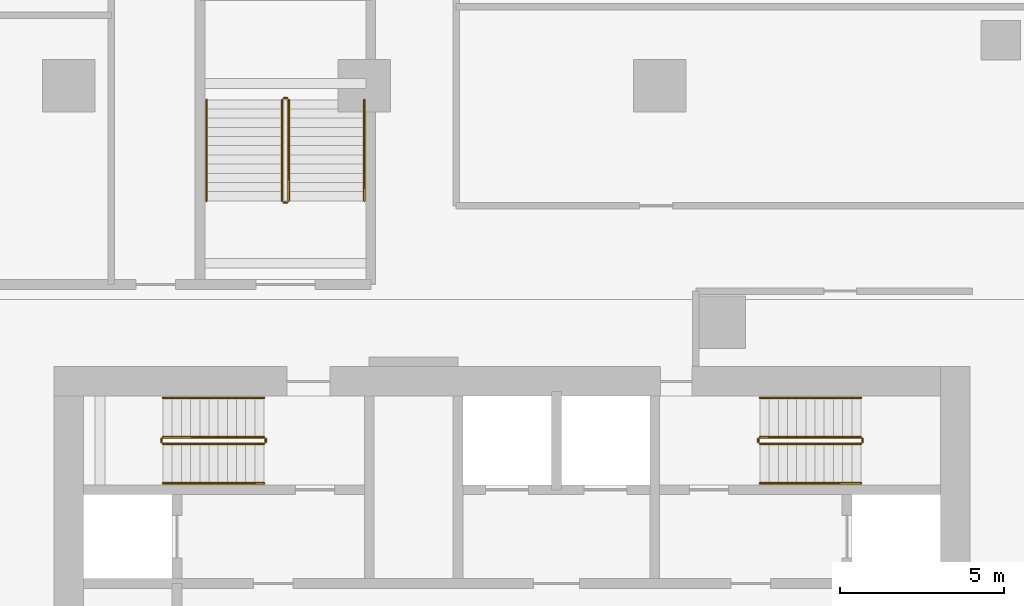
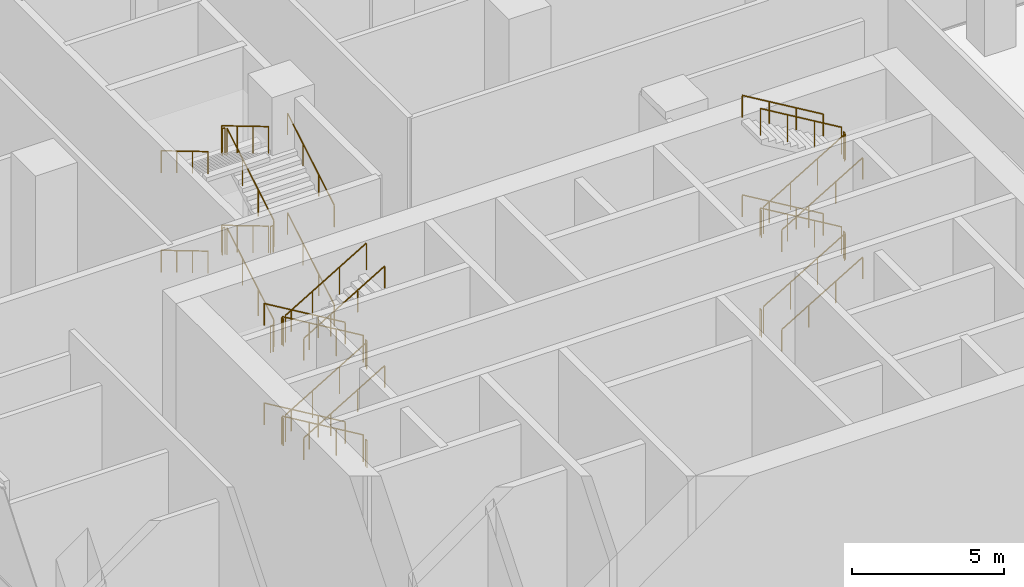
# One storey, part 46 of 54: 36 railings.
"""IFC4 building model written with IfcOpenShell, lengths in metres."""

from ifc_helpers import new_model, si_unit, direction, frame, origin, origin_2d, place, context, subcontext, project, spatial, circle, extrude, material, type_object, element, save


model = new_model("IFC4")

# Units and contexts
model_context = context("Model", 3, precision=1e-05, world=origin(), true_north=direction((0.0, 1.0)))
body_context = subcontext(model_context, "Body", "Model", "MODEL_VIEW")
ifc_project = project(units=[si_unit("LENGTHUNIT", "METRE"), si_unit("AREAUNIT", "SQUARE_METRE"), si_unit("VOLUMEUNIT", "CUBIC_METRE"), si_unit("PLANEANGLEUNIT", "RADIAN"), si_unit("MASSUNIT", "GRAM", prefix="KILO")], contexts=[model_context])

# Site, building, storey
site_placement = place(None, origin())
site = spatial("IfcSite", under=ifc_project, at=site_placement, CompositionType="ELEMENT")
building_placement = place(site_placement, origin())
building = spatial("IfcBuilding", under=site, at=building_placement, Name="Ogive Portal Towers", CompositionType="ELEMENT")
storey_placement = place(building_placement, origin())
storey = spatial("IfcBuildingStorey", under=building, at=storey_placement, Name="L00", CompositionType="ELEMENT", Elevation=0.0)

# Railings
ifc_material_1 = material(Name="Stainless steel balustrade", Category="steel")
railing_type_1 = type_object("IfcRailingType", Name="INT-GUARD", PredefinedType="GUARDRAIL", material=ifc_material_1)
railing_1_placement = place(storey_placement, frame((37.449951171875, 37.800048828125, 0.166748046875)))
element("IfcRailing", 1, at=railing_1_placement, inside=storey, type_object=railing_type_1, Name="L00 ST-A1 stair guard 1", PredefinedType="GUARDRAIL", context=body_context, shape_type="SweptSolid", body=[
    extrude(circle(Radius=0.02392578125, at=origin_2d()), frame((0.0, 0.0, 1.076171875), z_axis=(-0.859290745958, 0.0, 0.51148745235), x_axis=(0.0, -1.0, 0.0)), (0.0, 0.0, 1.0), 3.584228515625),
    extrude(circle(Radius=0.02099609375, at=origin_2d()), origin(), (0.0, 0.0, 1.0), 1.052001953125),
    extrude(circle(Radius=0.02099609375, at=origin_2d()), frame((-1.026611328125, 0.0, 0.611083984375)), (0.0, 0.0, 1.0), 1.052001953125),
    extrude(circle(Radius=0.02099609375, at=origin_2d()), frame((-2.05322265625, 0.0, 1.22216796875)), (0.0, 0.0, 1.0), 1.052001953125),
    extrude(circle(Radius=0.02099609375, at=origin_2d()), frame((-3.079833984375, 0.0, 1.833251953125)), (0.0, 0.0, 1.0), 1.052001953125),
])
railing_2_placement = place(storey_placement, frame((34.320068359375, 37.75, 2.0)))
element("IfcRailing", 2, at=railing_2_placement, inside=storey, type_object=railing_type_1, Name="L00 ST-A1 stair guard 2", PredefinedType="GUARDRAIL", context=body_context, shape_type="SweptSolid", body=[
    extrude(circle(Radius=0.02392578125, at=origin_2d()), frame((0.0, 0.0, 1.076171875), z_axis=(0.0, -1.0, 0.0), x_axis=(1.0, 0.0, 0.0)), (0.0, 0.0, 1.0), 0.10009765625),
    extrude(circle(Radius=0.02099609375, at=origin_2d()), origin(), (0.0, 0.0, 1.0), 1.052001953125),
    extrude(circle(Radius=0.02099609375, at=origin_2d()), frame((0.0, -0.10009765625, 0.0)), (0.0, 0.0, 1.0), 1.052001953125),
])
railing_3_placement = place(storey_placement, frame((34.3701171875, 37.60009765625, 2.166748046875)))
element("IfcRailing", 3, at=railing_3_placement, inside=storey, type_object=railing_type_1, Name="L00 ST-A1 stair guard 3", PredefinedType="GUARDRAIL", context=body_context, shape_type="SweptSolid", body=[
    extrude(circle(Radius=0.02392578125, at=origin_2d()), frame((0.0, 0.0, 1.076171875), z_axis=(0.859290745958, 0.0, 0.51148745235), x_axis=(0.0, 1.0, 0.0)), (0.0, 0.0, 1.0), 3.584228515625),
    extrude(circle(Radius=0.02099609375, at=origin_2d()), origin(), (0.0, 0.0, 1.0), 1.052001953125),
    extrude(circle(Radius=0.02099609375, at=origin_2d()), frame((1.026611328125, 0.0, 0.611083984375)), (0.0, 0.0, 1.0), 1.052001953125),
    extrude(circle(Radius=0.02099609375, at=origin_2d()), frame((2.05322265625, 0.0, 1.22216796875)), (0.0, 0.0, 1.0), 1.052001953125),
    extrude(circle(Radius=0.02099609375, at=origin_2d()), frame((3.079833984375, 0.0, 1.833251953125)), (0.0, 0.0, 1.0), 1.052001953125),
])
railing_4_placement = place(storey_placement, frame((37.5, 37.75, 4.0)))
element("IfcRailing", 4, at=railing_4_placement, inside=storey, type_object=railing_type_1, Name="L00 ST-A1 stair guard 4", PredefinedType="GUARDRAIL", context=body_context, shape_type="SweptSolid", body=[
    extrude(circle(Radius=0.02392578125, at=origin_2d()), frame((0.0, 0.0, 1.076171875), z_axis=(0.0, -1.0, 0.0), x_axis=(1.0, 0.0, 0.0)), (0.0, 0.0, 1.0), 0.10009765625),
    extrude(circle(Radius=0.02099609375, at=origin_2d()), origin(), (0.0, 0.0, 1.0), 1.052001953125),
    extrude(circle(Radius=0.02099609375, at=origin_2d()), frame((0.0, -0.10009765625, 0.0)), (0.0, 0.0, 1.0), 1.052001953125),
])
railing_5_placement = place(storey_placement, frame((37.449951171875, 37.800048828125, 4.166748046875)))
element("IfcRailing", 5, at=railing_5_placement, inside=storey, type_object=railing_type_1, Name="L00 ST-A1 stair guard 5", PredefinedType="GUARDRAIL", context=body_context, shape_type="SweptSolid", body=[
    extrude(circle(Radius=0.02392578125, at=origin_2d()), frame((0.0, 0.0, 1.076171875), z_axis=(-0.859290745958, 0.0, 0.51148745235), x_axis=(0.0, -1.0, 0.0)), (0.0, 0.0, 1.0), 3.584228515625),
    extrude(circle(Radius=0.02099609375, at=origin_2d()), origin(), (0.0, 0.0, 1.0), 1.052001953125),
    extrude(circle(Radius=0.02099609375, at=origin_2d()), frame((-1.026611328125, 0.0, 0.611083984375)), (0.0, 0.0, 1.0), 1.052001953125),
    extrude(circle(Radius=0.02099609375, at=origin_2d()), frame((-2.05322265625, 0.0, 1.22216796875)), (0.0, 0.0, 1.0), 1.052001953125),
    extrude(circle(Radius=0.02099609375, at=origin_2d()), frame((-3.079833984375, 0.0, 1.833251953125)), (0.0, 0.0, 1.0), 1.052001953125),
])
railing_6_placement = place(storey_placement, frame((34.320068359375, 37.75, 6.0)))
element("IfcRailing", 6, at=railing_6_placement, inside=storey, type_object=railing_type_1, Name="L00 ST-A1 stair guard 6", PredefinedType="GUARDRAIL", context=body_context, shape_type="SweptSolid", body=[
    extrude(circle(Radius=0.02392578125, at=origin_2d()), frame((0.0, 0.0, 1.076171875), z_axis=(0.0, -1.0, 0.0), x_axis=(1.0, 0.0, 0.0)), (0.0, 0.0, 1.0), 0.10009765625),
    extrude(circle(Radius=0.02099609375, at=origin_2d()), origin(), (0.0, 0.0, 1.0), 1.052001953125),
    extrude(circle(Radius=0.02099609375, at=origin_2d()), frame((0.0, -0.10009765625, 0.0)), (0.0, 0.0, 1.0), 1.052001953125),
])
railing_7_placement = place(storey_placement, frame((34.3701171875, 37.60009765625, 6.166748046875)))
element("IfcRailing", 7, at=railing_7_placement, inside=storey, type_object=railing_type_1, Name="L00 ST-A1 stair guard 7", PredefinedType="GUARDRAIL", context=body_context, shape_type="SweptSolid", body=[
    extrude(circle(Radius=0.02392578125, at=origin_2d()), frame((0.0, 0.0, 1.076171875), z_axis=(0.859290745958, 0.0, 0.51148745235), x_axis=(0.0, 1.0, 0.0)), (0.0, 0.0, 1.0), 3.584228515625),
    extrude(circle(Radius=0.02099609375, at=origin_2d()), origin(), (0.0, 0.0, 1.0), 1.052001953125),
    extrude(circle(Radius=0.02099609375, at=origin_2d()), frame((1.026611328125, 0.0, 0.611083984375)), (0.0, 0.0, 1.0), 1.052001953125),
    extrude(circle(Radius=0.02099609375, at=origin_2d()), frame((2.05322265625, 0.0, 1.22216796875)), (0.0, 0.0, 1.0), 1.052001953125),
    extrude(circle(Radius=0.02099609375, at=origin_2d()), frame((3.079833984375, 0.0, 1.833251953125)), (0.0, 0.0, 1.0), 1.052001953125),
])
railing_8_placement = place(storey_placement, frame((37.5, 37.75, 0.0)))
element("IfcRailing", 8, at=railing_8_placement, inside=storey, type_object=railing_type_1, Name="L00 ST-A1 stair guard 8", PredefinedType="GUARDRAIL", context=body_context, shape_type="SweptSolid", body=[
    extrude(circle(Radius=0.02392578125, at=origin_2d()), frame((0.0, 0.0, 1.076171875), z_axis=(0.0, -1.0, 0.0), x_axis=(1.0, 0.0, 0.0)), (0.0, 0.0, 1.0), 0.10009765625),
    extrude(circle(Radius=0.02099609375, at=origin_2d()), origin(), (0.0, 0.0, 1.0), 1.052001953125),
    extrude(circle(Radius=0.02099609375, at=origin_2d()), frame((0.0, -0.10009765625, 0.0)), (0.0, 0.0, 1.0), 1.052001953125),
])
railing_9_placement = place(storey_placement, frame((52.550048828125, 37.60009765625, 0.166748046875)))
element("IfcRailing", 9, at=railing_9_placement, inside=storey, type_object=railing_type_1, Name="L00 ST-A2 stair guard 1", PredefinedType="GUARDRAIL", context=body_context, shape_type="SweptSolid", body=[
    extrude(circle(Radius=0.02392578125, at=origin_2d()), frame((0.0, 0.0, 1.076171875), z_axis=(0.859290745958, 0.0, 0.51148745235), x_axis=(0.0, 1.0, 0.0)), (0.0, 0.0, 1.0), 3.584228515625),
    extrude(circle(Radius=0.02099609375, at=origin_2d()), origin(), (0.0, 0.0, 1.0), 1.052001953125),
    extrude(circle(Radius=0.02099609375, at=origin_2d()), frame((1.026611328125, 0.0, 0.611083984375)), (0.0, 0.0, 1.0), 1.052001953125),
    extrude(circle(Radius=0.02099609375, at=origin_2d()), frame((2.05322265625, 0.0, 1.22216796875)), (0.0, 0.0, 1.0), 1.052001953125),
    extrude(circle(Radius=0.02099609375, at=origin_2d()), frame((3.079833984375, 0.0, 1.833251953125)), (0.0, 0.0, 1.0), 1.052001953125),
])
railing_10_placement = place(storey_placement, frame((55.679931640625, 37.64990234375, 2.0)))
element("IfcRailing", 10, at=railing_10_placement, inside=storey, type_object=railing_type_1, Name="L00 ST-A2 stair guard 2", PredefinedType="GUARDRAIL", context=body_context, shape_type="SweptSolid", body=[
    extrude(circle(Radius=0.02392578125, at=origin_2d()), frame((0.0, 0.0, 1.076171875), z_axis=(0.0, 1.0, 0.0), x_axis=(-1.0, 0.0, 0.0)), (0.0, 0.0, 1.0), 0.10009765625),
    extrude(circle(Radius=0.02099609375, at=origin_2d()), origin(), (0.0, 0.0, 1.0), 1.052001953125),
    extrude(circle(Radius=0.02099609375, at=origin_2d()), frame((0.0, 0.10009765625, 0.0)), (0.0, 0.0, 1.0), 1.052001953125),
])
railing_11_placement = place(storey_placement, frame((55.6298828125, 37.800048828125, 2.166748046875)))
element("IfcRailing", 11, at=railing_11_placement, inside=storey, type_object=railing_type_1, Name="L00 ST-A2 stair guard 3", PredefinedType="GUARDRAIL", context=body_context, shape_type="SweptSolid", body=[
    extrude(circle(Radius=0.02392578125, at=origin_2d()), frame((0.0, 0.0, 1.076171875), z_axis=(-0.859290745958, 0.0, 0.51148745235), x_axis=(0.0, -1.0, 0.0)), (0.0, 0.0, 1.0), 3.584228515625),
    extrude(circle(Radius=0.02099609375, at=origin_2d()), origin(), (0.0, 0.0, 1.0), 1.052001953125),
    extrude(circle(Radius=0.02099609375, at=origin_2d()), frame((-1.026611328125, 0.0, 0.611083984375)), (0.0, 0.0, 1.0), 1.052001953125),
    extrude(circle(Radius=0.02099609375, at=origin_2d()), frame((-2.05322265625, 0.0, 1.22216796875)), (0.0, 0.0, 1.0), 1.052001953125),
    extrude(circle(Radius=0.02099609375, at=origin_2d()), frame((-3.079833984375, 0.0, 1.833251953125)), (0.0, 0.0, 1.0), 1.052001953125),
])
railing_12_placement = place(storey_placement, frame((52.5, 37.64990234375, 4.0)))
element("IfcRailing", 12, at=railing_12_placement, inside=storey, type_object=railing_type_1, Name="L00 ST-A2 stair guard 4", PredefinedType="GUARDRAIL", context=body_context, shape_type="SweptSolid", body=[
    extrude(circle(Radius=0.02392578125, at=origin_2d()), frame((0.0, 0.0, 1.076171875), z_axis=(0.0, 1.0, 0.0), x_axis=(-1.0, 0.0, 0.0)), (0.0, 0.0, 1.0), 0.10009765625),
    extrude(circle(Radius=0.02099609375, at=origin_2d()), origin(), (0.0, 0.0, 1.0), 1.052001953125),
    extrude(circle(Radius=0.02099609375, at=origin_2d()), frame((0.0, 0.10009765625, 0.0)), (0.0, 0.0, 1.0), 1.052001953125),
])
railing_13_placement = place(storey_placement, frame((52.550048828125, 37.60009765625, 4.166748046875)))
element("IfcRailing", 13, at=railing_13_placement, inside=storey, type_object=railing_type_1, Name="L00 ST-A2 stair guard 5", PredefinedType="GUARDRAIL", context=body_context, shape_type="SweptSolid", body=[
    extrude(circle(Radius=0.02392578125, at=origin_2d()), frame((0.0, 0.0, 1.076171875), z_axis=(0.859290745958, 0.0, 0.51148745235), x_axis=(0.0, 1.0, 0.0)), (0.0, 0.0, 1.0), 3.584228515625),
    extrude(circle(Radius=0.02099609375, at=origin_2d()), origin(), (0.0, 0.0, 1.0), 1.052001953125),
    extrude(circle(Radius=0.02099609375, at=origin_2d()), frame((1.026611328125, 0.0, 0.611083984375)), (0.0, 0.0, 1.0), 1.052001953125),
    extrude(circle(Radius=0.02099609375, at=origin_2d()), frame((2.05322265625, 0.0, 1.22216796875)), (0.0, 0.0, 1.0), 1.052001953125),
    extrude(circle(Radius=0.02099609375, at=origin_2d()), frame((3.079833984375, 0.0, 1.833251953125)), (0.0, 0.0, 1.0), 1.052001953125),
])
railing_14_placement = place(storey_placement, frame((55.679931640625, 37.64990234375, 6.0)))
element("IfcRailing", 14, at=railing_14_placement, inside=storey, type_object=railing_type_1, Name="L00 ST-A2 stair guard 6", PredefinedType="GUARDRAIL", context=body_context, shape_type="SweptSolid", body=[
    extrude(circle(Radius=0.02392578125, at=origin_2d()), frame((0.0, 0.0, 1.076171875), z_axis=(0.0, 1.0, 0.0), x_axis=(-1.0, 0.0, 0.0)), (0.0, 0.0, 1.0), 0.10009765625),
    extrude(circle(Radius=0.02099609375, at=origin_2d()), origin(), (0.0, 0.0, 1.0), 1.052001953125),
    extrude(circle(Radius=0.02099609375, at=origin_2d()), frame((0.0, 0.10009765625, 0.0)), (0.0, 0.0, 1.0), 1.052001953125),
])
railing_15_placement = place(storey_placement, frame((55.6298828125, 37.800048828125, 6.166748046875)))
element("IfcRailing", 15, at=railing_15_placement, inside=storey, type_object=railing_type_1, Name="L00 ST-A2 stair guard 7", PredefinedType="GUARDRAIL", context=body_context, shape_type="SweptSolid", body=[
    extrude(circle(Radius=0.02392578125, at=origin_2d()), frame((0.0, 0.0, 1.076171875), z_axis=(-0.859290745958, 0.0, 0.51148745235), x_axis=(0.0, -1.0, 0.0)), (0.0, 0.0, 1.0), 3.584228515625),
    extrude(circle(Radius=0.02099609375, at=origin_2d()), origin(), (0.0, 0.0, 1.0), 1.052001953125),
    extrude(circle(Radius=0.02099609375, at=origin_2d()), frame((-1.026611328125, 0.0, 0.611083984375)), (0.0, 0.0, 1.0), 1.052001953125),
    extrude(circle(Radius=0.02099609375, at=origin_2d()), frame((-2.05322265625, 0.0, 1.22216796875)), (0.0, 0.0, 1.0), 1.052001953125),
    extrude(circle(Radius=0.02099609375, at=origin_2d()), frame((-3.079833984375, 0.0, 1.833251953125)), (0.0, 0.0, 1.0), 1.052001953125),
])
railing_16_placement = place(storey_placement, frame((52.5, 37.64990234375, 0.0)))
element("IfcRailing", 16, at=railing_16_placement, inside=storey, type_object=railing_type_1, Name="L00 ST-A2 stair guard 8", PredefinedType="GUARDRAIL", context=body_context, shape_type="SweptSolid", body=[
    extrude(circle(Radius=0.02392578125, at=origin_2d()), frame((0.0, 0.0, 1.076171875), z_axis=(0.0, 1.0, 0.0), x_axis=(-1.0, 0.0, 0.0)), (0.0, 0.0, 1.0), 0.10009765625),
    extrude(circle(Radius=0.02099609375, at=origin_2d()), origin(), (0.0, 0.0, 1.0), 1.052001953125),
    extrude(circle(Radius=0.02099609375, at=origin_2d()), frame((0.0, 0.10009765625, 0.0)), (0.0, 0.0, 1.0), 1.052001953125),
])
railing_17_placement = place(storey_placement, frame((38.199951171875, 45.0, 0.166748046875)))
element("IfcRailing", 17, at=railing_17_placement, inside=storey, type_object=railing_type_1, Name="L00 ST-P2 stair guard 1", PredefinedType="GUARDRAIL", context=body_context, shape_type="SweptSolid", body=[
    extrude(circle(Radius=0.02392578125, at=origin_2d()), frame((0.0, 0.0, 1.076171875), z_axis=(0.0, 0.859308565015, 0.511457515432), x_axis=(-1.0, 0.0, 0.0)), (0.0, 0.0, 1.0), 3.58447265625),
    extrude(circle(Radius=0.02099609375, at=origin_2d()), origin(), (0.0, 0.0, 1.0), 1.052001953125),
    extrude(circle(Radius=0.02099609375, at=origin_2d()), frame((0.0, 1.026611328125, 0.611083984375)), (0.0, 0.0, 1.0), 1.052001953125),
    extrude(circle(Radius=0.02099609375, at=origin_2d()), frame((0.0, 2.053466796875, 1.22216796875)), (0.0, 0.0, 1.0), 1.052001953125),
    extrude(circle(Radius=0.02099609375, at=origin_2d()), frame((0.0, 3.080078125, 1.833251953125)), (0.0, 0.0, 1.0), 1.052001953125),
])
railing_18_placement = place(storey_placement, frame((38.14990234375, 48.1298828125, 2.0)))
element("IfcRailing", 18, at=railing_18_placement, inside=storey, type_object=railing_type_1, Name="L00 ST-P2 stair guard 2", PredefinedType="GUARDRAIL", context=body_context, shape_type="SweptSolid", body=[
    extrude(circle(Radius=0.02392578125, at=origin_2d()), frame((0.0, 0.0, 1.076171875), z_axis=(-1.0, 0.0, 0.0), x_axis=(0.0, -1.0, 0.0)), (0.0, 0.0, 1.0), 0.099853515625),
    extrude(circle(Radius=0.02099609375, at=origin_2d()), origin(), (0.0, 0.0, 1.0), 1.052001953125),
    extrude(circle(Radius=0.02099609375, at=origin_2d()), frame((-0.099853515625, 0.0, 0.0)), (0.0, 0.0, 1.0), 1.052001953125),
])
railing_19_placement = place(storey_placement, frame((38.0, 48.080078125, 2.166748046875)))
element("IfcRailing", 19, at=railing_19_placement, inside=storey, type_object=railing_type_1, Name="L00 ST-P2 stair guard 3", PredefinedType="GUARDRAIL", context=body_context, shape_type="SweptSolid", body=[
    extrude(circle(Radius=0.02392578125, at=origin_2d()), frame((0.0, 0.0, 1.076171875), z_axis=(0.0, -0.859308565015, 0.511457515432), x_axis=(1.0, 0.0, 0.0)), (0.0, 0.0, 1.0), 3.58447265625),
    extrude(circle(Radius=0.02099609375, at=origin_2d()), origin(), (0.0, 0.0, 1.0), 1.052001953125),
    extrude(circle(Radius=0.02099609375, at=origin_2d()), frame((0.0, -1.026611328125, 0.611083984375)), (0.0, 0.0, 1.0), 1.052001953125),
    extrude(circle(Radius=0.02099609375, at=origin_2d()), frame((0.0, -2.053466796875, 1.22216796875)), (0.0, 0.0, 1.0), 1.052001953125),
    extrude(circle(Radius=0.02099609375, at=origin_2d()), frame((0.0, -3.080078125, 1.833251953125)), (0.0, 0.0, 1.0), 1.052001953125),
])
railing_20_placement = place(storey_placement, frame((38.14990234375, 44.949951171875, 4.0)))
element("IfcRailing", 20, at=railing_20_placement, inside=storey, type_object=railing_type_1, Name="L00 ST-P2 stair guard 4", PredefinedType="GUARDRAIL", context=body_context, shape_type="SweptSolid", body=[
    extrude(circle(Radius=0.02392578125, at=origin_2d()), frame((0.0, 0.0, 1.076171875), z_axis=(-1.0, 0.0, 0.0), x_axis=(0.0, -1.0, 0.0)), (0.0, 0.0, 1.0), 0.099853515625),
    extrude(circle(Radius=0.02099609375, at=origin_2d()), origin(), (0.0, 0.0, 1.0), 1.052001953125),
    extrude(circle(Radius=0.02099609375, at=origin_2d()), frame((-0.099853515625, 0.0, 0.0)), (0.0, 0.0, 1.0), 1.052001953125),
])
railing_21_placement = place(storey_placement, frame((38.199951171875, 45.0, 4.166748046875)))
element("IfcRailing", 21, at=railing_21_placement, inside=storey, type_object=railing_type_1, Name="L00 ST-P2 stair guard 5", PredefinedType="GUARDRAIL", context=body_context, shape_type="SweptSolid", body=[
    extrude(circle(Radius=0.02392578125, at=origin_2d()), frame((0.0, 0.0, 1.076171875), z_axis=(0.0, 0.859308565015, 0.511457515432), x_axis=(-1.0, 0.0, 0.0)), (0.0, 0.0, 1.0), 3.58447265625),
    extrude(circle(Radius=0.02099609375, at=origin_2d()), origin(), (0.0, 0.0, 1.0), 1.052001953125),
    extrude(circle(Radius=0.02099609375, at=origin_2d()), frame((0.0, 1.026611328125, 0.611083984375)), (0.0, 0.0, 1.0), 1.052001953125),
    extrude(circle(Radius=0.02099609375, at=origin_2d()), frame((0.0, 2.053466796875, 1.22216796875)), (0.0, 0.0, 1.0), 1.052001953125),
    extrude(circle(Radius=0.02099609375, at=origin_2d()), frame((0.0, 3.080078125, 1.833251953125)), (0.0, 0.0, 1.0), 1.052001953125),
])
railing_22_placement = place(storey_placement, frame((38.14990234375, 48.1298828125, 6.0)))
element("IfcRailing", 22, at=railing_22_placement, inside=storey, type_object=railing_type_1, Name="L00 ST-P2 stair guard 6", PredefinedType="GUARDRAIL", context=body_context, shape_type="SweptSolid", body=[
    extrude(circle(Radius=0.02392578125, at=origin_2d()), frame((0.0, 0.0, 1.076171875), z_axis=(-1.0, 0.0, 0.0), x_axis=(0.0, -1.0, 0.0)), (0.0, 0.0, 1.0), 0.099853515625),
    extrude(circle(Radius=0.02099609375, at=origin_2d()), origin(), (0.0, 0.0, 1.0), 1.052001953125),
    extrude(circle(Radius=0.02099609375, at=origin_2d()), frame((-0.099853515625, 0.0, 0.0)), (0.0, 0.0, 1.0), 1.052001953125),
])
railing_23_placement = place(storey_placement, frame((38.0, 48.080078125, 6.166748046875)))
element("IfcRailing", 23, at=railing_23_placement, inside=storey, type_object=railing_type_1, Name="L00 ST-P2 stair guard 7", PredefinedType="GUARDRAIL", context=body_context, shape_type="SweptSolid", body=[
    extrude(circle(Radius=0.02392578125, at=origin_2d()), frame((0.0, 0.0, 1.076171875), z_axis=(0.0, -0.859308565015, 0.511457515432), x_axis=(1.0, 0.0, 0.0)), (0.0, 0.0, 1.0), 3.58447265625),
    extrude(circle(Radius=0.02099609375, at=origin_2d()), origin(), (0.0, 0.0, 1.0), 1.052001953125),
    extrude(circle(Radius=0.02099609375, at=origin_2d()), frame((0.0, -1.026611328125, 0.611083984375)), (0.0, 0.0, 1.0), 1.052001953125),
    extrude(circle(Radius=0.02099609375, at=origin_2d()), frame((0.0, -2.053466796875, 1.22216796875)), (0.0, 0.0, 1.0), 1.052001953125),
    extrude(circle(Radius=0.02099609375, at=origin_2d()), frame((0.0, -3.080078125, 1.833251953125)), (0.0, 0.0, 1.0), 1.052001953125),
])
railing_24_placement = place(storey_placement, frame((38.14990234375, 44.949951171875, 0.0)))
element("IfcRailing", 24, at=railing_24_placement, inside=storey, type_object=railing_type_1, Name="L00 ST-P2 stair guard 8", PredefinedType="GUARDRAIL", context=body_context, shape_type="SweptSolid", body=[
    extrude(circle(Radius=0.02392578125, at=origin_2d()), frame((0.0, 0.0, 1.076171875), z_axis=(-1.0, 0.0, 0.0), x_axis=(0.0, -1.0, 0.0)), (0.0, 0.0, 1.0), 0.099853515625),
    extrude(circle(Radius=0.02099609375, at=origin_2d()), origin(), (0.0, 0.0, 1.0), 1.052001953125),
    extrude(circle(Radius=0.02099609375, at=origin_2d()), frame((-0.099853515625, 0.0, 0.0)), (0.0, 0.0, 1.0), 1.052001953125),
])
ifc_material_2 = material(Name="Stainless steel handrail", Category="steel")
railing_type_2 = type_object("IfcRailingType", Name="INT-HANDRAIL", PredefinedType="HANDRAIL", material=ifc_material_2)
railing_25_placement = place(storey_placement, frame((37.449951171875, 39.0, 0.166748046875)))
element("IfcRailing", 25, at=railing_25_placement, inside=storey, type_object=railing_type_2, Name="L00 ST-A1 stair handrail 1", PredefinedType="HANDRAIL", context=body_context, shape_type="SweptSolid", body=[
    extrude(circle(Radius=0.02392578125, at=origin_2d()), frame((0.0, 0.0, 0.8759765625), z_axis=(-0.859290745958, 0.0, 0.51148745235), x_axis=(0.0, -1.0, 0.0)), (0.0, 0.0, 1.0), 3.584228515625),
    extrude(circle(Radius=0.02099609375, at=origin_2d()), origin(), (0.0, 0.0, 1.0), 0.851806640625),
    extrude(circle(Radius=0.02099609375, at=origin_2d()), frame((-1.026611328125, 0.0, 0.611083984375)), (0.0, 0.0, 1.0), 0.851806640625),
    extrude(circle(Radius=0.02099609375, at=origin_2d()), frame((-2.05322265625, 0.0, 1.22216796875)), (0.0, 0.0, 1.0), 0.851806640625),
    extrude(circle(Radius=0.02099609375, at=origin_2d()), frame((-3.079833984375, 0.0, 1.833251953125)), (0.0, 0.0, 1.0), 0.851806640625),
])
railing_26_placement = place(storey_placement, frame((34.3701171875, 36.39990234375, 2.166748046875)))
element("IfcRailing", 26, at=railing_26_placement, inside=storey, type_object=railing_type_2, Name="L00 ST-A1 stair handrail 2", PredefinedType="HANDRAIL", context=body_context, shape_type="SweptSolid", body=[
    extrude(circle(Radius=0.02392578125, at=origin_2d()), frame((0.0, 0.0, 0.8759765625), z_axis=(0.859290745958, 0.0, 0.51148745235), x_axis=(0.0, 1.0, 0.0)), (0.0, 0.0, 1.0), 3.584228515625),
    extrude(circle(Radius=0.02099609375, at=origin_2d()), origin(), (0.0, 0.0, 1.0), 0.851806640625),
    extrude(circle(Radius=0.02099609375, at=origin_2d()), frame((1.026611328125, 0.0, 0.611083984375)), (0.0, 0.0, 1.0), 0.851806640625),
    extrude(circle(Radius=0.02099609375, at=origin_2d()), frame((2.05322265625, 0.0, 1.22216796875)), (0.0, 0.0, 1.0), 0.851806640625),
    extrude(circle(Radius=0.02099609375, at=origin_2d()), frame((3.079833984375, 0.0, 1.833251953125)), (0.0, 0.0, 1.0), 0.851806640625),
])
railing_27_placement = place(storey_placement, frame((37.449951171875, 39.0, 4.166748046875)))
element("IfcRailing", 27, at=railing_27_placement, inside=storey, type_object=railing_type_2, Name="L00 ST-A1 stair handrail 3", PredefinedType="HANDRAIL", context=body_context, shape_type="SweptSolid", body=[
    extrude(circle(Radius=0.02392578125, at=origin_2d()), frame((0.0, 0.0, 0.8759765625), z_axis=(-0.859290745958, 0.0, 0.51148745235), x_axis=(0.0, -1.0, 0.0)), (0.0, 0.0, 1.0), 3.584228515625),
    extrude(circle(Radius=0.02099609375, at=origin_2d()), origin(), (0.0, 0.0, 1.0), 0.851806640625),
    extrude(circle(Radius=0.02099609375, at=origin_2d()), frame((-1.026611328125, 0.0, 0.611083984375)), (0.0, 0.0, 1.0), 0.851806640625),
    extrude(circle(Radius=0.02099609375, at=origin_2d()), frame((-2.05322265625, 0.0, 1.22216796875)), (0.0, 0.0, 1.0), 0.851806640625),
    extrude(circle(Radius=0.02099609375, at=origin_2d()), frame((-3.079833984375, 0.0, 1.833251953125)), (0.0, 0.0, 1.0), 0.851806640625),
])
for number, where, name in (
    (28, (34.3701171875, 36.39990234375, 6.166748046875), "L00 ST-A1 stair handrail 4"),
    (29, (52.550048828125, 36.39990234375, 0.166748046875), "L00 ST-A2 stair handrail 1"),
):
    element("IfcRailing", number, at=place(storey_placement, frame(where)), inside=storey, type_object=railing_type_2, Name=name, PredefinedType="HANDRAIL", context=body_context, shape_type="SweptSolid", body=[
        extrude(circle(Radius=0.02392578125, at=origin_2d()), frame((0.0, 0.0, 0.8759765625), z_axis=(0.859290745958, 0.0, 0.51148745235), x_axis=(0.0, 1.0, 0.0)), (0.0, 0.0, 1.0), 3.584228515625),
        extrude(circle(Radius=0.02099609375, at=origin_2d()), origin(), (0.0, 0.0, 1.0), 0.851806640625),
        extrude(circle(Radius=0.02099609375, at=origin_2d()), frame((1.026611328125, 0.0, 0.611083984375)), (0.0, 0.0, 1.0), 0.851806640625),
        extrude(circle(Radius=0.02099609375, at=origin_2d()), frame((2.05322265625, 0.0, 1.22216796875)), (0.0, 0.0, 1.0), 0.851806640625),
        extrude(circle(Radius=0.02099609375, at=origin_2d()), frame((3.079833984375, 0.0, 1.833251953125)), (0.0, 0.0, 1.0), 0.851806640625),
    ])
railing_28_placement = place(storey_placement, frame((55.6298828125, 39.0, 2.166748046875)))
element("IfcRailing", 30, at=railing_28_placement, inside=storey, type_object=railing_type_2, Name="L00 ST-A2 stair handrail 2", PredefinedType="HANDRAIL", context=body_context, shape_type="SweptSolid", body=[
    extrude(circle(Radius=0.02392578125, at=origin_2d()), frame((0.0, 0.0, 0.8759765625), z_axis=(-0.859290745958, 0.0, 0.51148745235), x_axis=(0.0, -1.0, 0.0)), (0.0, 0.0, 1.0), 3.584228515625),
    extrude(circle(Radius=0.02099609375, at=origin_2d()), origin(), (0.0, 0.0, 1.0), 0.851806640625),
    extrude(circle(Radius=0.02099609375, at=origin_2d()), frame((-1.026611328125, 0.0, 0.611083984375)), (0.0, 0.0, 1.0), 0.851806640625),
    extrude(circle(Radius=0.02099609375, at=origin_2d()), frame((-2.05322265625, 0.0, 1.22216796875)), (0.0, 0.0, 1.0), 0.851806640625),
    extrude(circle(Radius=0.02099609375, at=origin_2d()), frame((-3.079833984375, 0.0, 1.833251953125)), (0.0, 0.0, 1.0), 0.851806640625),
])
railing_29_placement = place(storey_placement, frame((52.550048828125, 36.39990234375, 4.166748046875)))
element("IfcRailing", 31, at=railing_29_placement, inside=storey, type_object=railing_type_2, Name="L00 ST-A2 stair handrail 3", PredefinedType="HANDRAIL", context=body_context, shape_type="SweptSolid", body=[
    extrude(circle(Radius=0.02392578125, at=origin_2d()), frame((0.0, 0.0, 0.8759765625), z_axis=(0.859290745958, 0.0, 0.51148745235), x_axis=(0.0, 1.0, 0.0)), (0.0, 0.0, 1.0), 3.584228515625),
    extrude(circle(Radius=0.02099609375, at=origin_2d()), origin(), (0.0, 0.0, 1.0), 0.851806640625),
    extrude(circle(Radius=0.02099609375, at=origin_2d()), frame((1.026611328125, 0.0, 0.611083984375)), (0.0, 0.0, 1.0), 0.851806640625),
    extrude(circle(Radius=0.02099609375, at=origin_2d()), frame((2.05322265625, 0.0, 1.22216796875)), (0.0, 0.0, 1.0), 0.851806640625),
    extrude(circle(Radius=0.02099609375, at=origin_2d()), frame((3.079833984375, 0.0, 1.833251953125)), (0.0, 0.0, 1.0), 0.851806640625),
])
railing_30_placement = place(storey_placement, frame((55.6298828125, 39.0, 6.166748046875)))
element("IfcRailing", 32, at=railing_30_placement, inside=storey, type_object=railing_type_2, Name="L00 ST-A2 stair handrail 4", PredefinedType="HANDRAIL", context=body_context, shape_type="SweptSolid", body=[
    extrude(circle(Radius=0.02392578125, at=origin_2d()), frame((0.0, 0.0, 0.8759765625), z_axis=(-0.859290745958, 0.0, 0.51148745235), x_axis=(0.0, -1.0, 0.0)), (0.0, 0.0, 1.0), 3.584228515625),
    extrude(circle(Radius=0.02099609375, at=origin_2d()), origin(), (0.0, 0.0, 1.0), 0.851806640625),
    extrude(circle(Radius=0.02099609375, at=origin_2d()), frame((-1.026611328125, 0.0, 0.611083984375)), (0.0, 0.0, 1.0), 0.851806640625),
    extrude(circle(Radius=0.02099609375, at=origin_2d()), frame((-2.05322265625, 0.0, 1.22216796875)), (0.0, 0.0, 1.0), 0.851806640625),
    extrude(circle(Radius=0.02099609375, at=origin_2d()), frame((-3.079833984375, 0.0, 1.833251953125)), (0.0, 0.0, 1.0), 0.851806640625),
])
railing_31_placement = place(storey_placement, frame((40.5, 45.0, 0.166748046875)))
element("IfcRailing", 33, at=railing_31_placement, inside=storey, type_object=railing_type_2, Name="L00 ST-P2 stair handrail 1", PredefinedType="HANDRAIL", context=body_context, shape_type="SweptSolid", body=[
    extrude(circle(Radius=0.02392578125, at=origin_2d()), frame((0.0, 0.0, 0.8759765625), z_axis=(0.0, 0.859308565015, 0.511457515432), x_axis=(-1.0, 0.0, 0.0)), (0.0, 0.0, 1.0), 3.58447265625),
    extrude(circle(Radius=0.02099609375, at=origin_2d()), origin(), (0.0, 0.0, 1.0), 0.851806640625),
    extrude(circle(Radius=0.02099609375, at=origin_2d()), frame((0.0, 1.026611328125, 0.611083984375)), (0.0, 0.0, 1.0), 0.851806640625),
    extrude(circle(Radius=0.02099609375, at=origin_2d()), frame((0.0, 2.053466796875, 1.22216796875)), (0.0, 0.0, 1.0), 0.851806640625),
    extrude(circle(Radius=0.02099609375, at=origin_2d()), frame((0.0, 3.080078125, 1.833251953125)), (0.0, 0.0, 1.0), 0.851806640625),
])
railing_32_placement = place(storey_placement, frame((35.699951171875, 48.080078125, 2.166748046875)))
element("IfcRailing", 34, at=railing_32_placement, inside=storey, type_object=railing_type_2, Name="L00 ST-P2 stair handrail 2", PredefinedType="HANDRAIL", context=body_context, shape_type="SweptSolid", body=[
    extrude(circle(Radius=0.02392578125, at=origin_2d()), frame((0.0, 0.0, 0.8759765625), z_axis=(0.0, -0.859308565015, 0.511457515432), x_axis=(1.0, 0.0, 0.0)), (0.0, 0.0, 1.0), 3.58447265625),
    extrude(circle(Radius=0.02099609375, at=origin_2d()), origin(), (0.0, 0.0, 1.0), 0.851806640625),
    extrude(circle(Radius=0.02099609375, at=origin_2d()), frame((0.0, -1.026611328125, 0.611083984375)), (0.0, 0.0, 1.0), 0.851806640625),
    extrude(circle(Radius=0.02099609375, at=origin_2d()), frame((0.0, -2.053466796875, 1.22216796875)), (0.0, 0.0, 1.0), 0.851806640625),
    extrude(circle(Radius=0.02099609375, at=origin_2d()), frame((0.0, -3.080078125, 1.833251953125)), (0.0, 0.0, 1.0), 0.851806640625),
])
railing_33_placement = place(storey_placement, frame((40.5, 45.0, 4.166748046875)))
element("IfcRailing", 35, at=railing_33_placement, inside=storey, type_object=railing_type_2, Name="L00 ST-P2 stair handrail 3", PredefinedType="HANDRAIL", context=body_context, shape_type="SweptSolid", body=[
    extrude(circle(Radius=0.02392578125, at=origin_2d()), frame((0.0, 0.0, 0.8759765625), z_axis=(0.0, 0.859308565015, 0.511457515432), x_axis=(-1.0, 0.0, 0.0)), (0.0, 0.0, 1.0), 3.58447265625),
    extrude(circle(Radius=0.02099609375, at=origin_2d()), origin(), (0.0, 0.0, 1.0), 0.851806640625),
    extrude(circle(Radius=0.02099609375, at=origin_2d()), frame((0.0, 1.026611328125, 0.611083984375)), (0.0, 0.0, 1.0), 0.851806640625),
    extrude(circle(Radius=0.02099609375, at=origin_2d()), frame((0.0, 2.053466796875, 1.22216796875)), (0.0, 0.0, 1.0), 0.851806640625),
    extrude(circle(Radius=0.02099609375, at=origin_2d()), frame((0.0, 3.080078125, 1.833251953125)), (0.0, 0.0, 1.0), 0.851806640625),
])
railing_34_placement = place(storey_placement, frame((35.699951171875, 48.080078125, 6.166748046875)))
element("IfcRailing", 36, at=railing_34_placement, inside=storey, type_object=railing_type_2, Name="L00 ST-P2 stair handrail 4", PredefinedType="HANDRAIL", context=body_context, shape_type="SweptSolid", body=[
    extrude(circle(Radius=0.02392578125, at=origin_2d()), frame((0.0, 0.0, 0.8759765625), z_axis=(0.0, -0.859308565015, 0.511457515432), x_axis=(1.0, 0.0, 0.0)), (0.0, 0.0, 1.0), 3.58447265625),
    extrude(circle(Radius=0.02099609375, at=origin_2d()), origin(), (0.0, 0.0, 1.0), 0.851806640625),
    extrude(circle(Radius=0.02099609375, at=origin_2d()), frame((0.0, -1.026611328125, 0.611083984375)), (0.0, 0.0, 1.0), 0.851806640625),
    extrude(circle(Radius=0.02099609375, at=origin_2d()), frame((0.0, -2.053466796875, 1.22216796875)), (0.0, 0.0, 1.0), 0.851806640625),
    extrude(circle(Radius=0.02099609375, at=origin_2d()), frame((0.0, -3.080078125, 1.833251953125)), (0.0, 0.0, 1.0), 0.851806640625),
])

save(model, "model.ifc")
